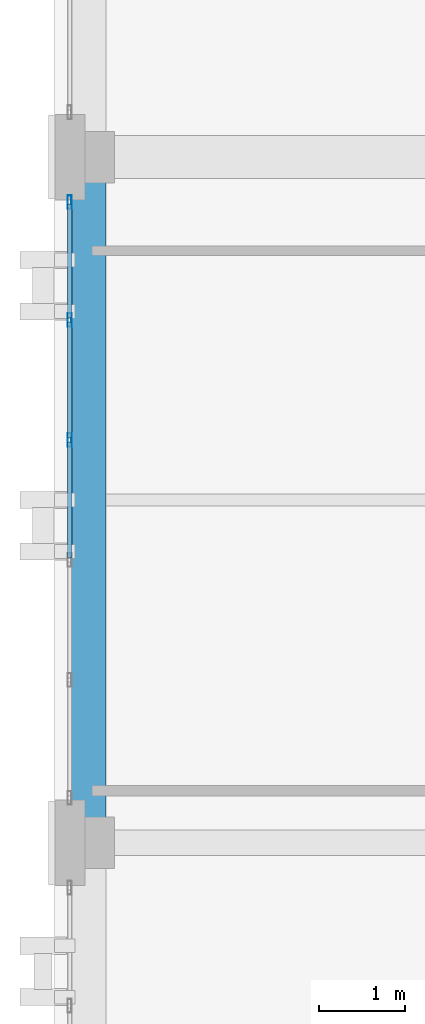
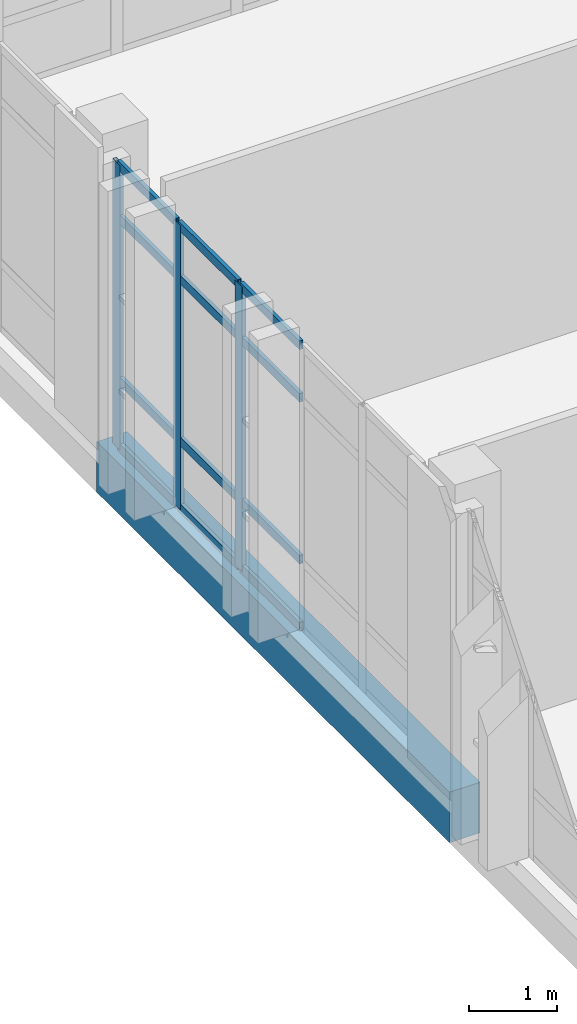
# One storey, part 13 of 48: 15 members, 1 beam, 1 element without a shape of its own.
"""IFC4 building model written with IfcOpenShell, lengths in metres."""

from ifc_helpers import new_model, si_unit, direction, frame, origin, origin_2d, place, context, subcontext, project, spatial, rectangle, hollow_rectangle, extrude, material, layer, layer_set, material_profile, profile_set, type_object, element, aggregate, save


model = new_model("IFC4")

# Units and contexts
model_context = context("Model", 3, precision=1e-05, world=origin(), true_north=direction((0.0, 1.0)))
body_context = subcontext(model_context, "Body", "Model", "MODEL_VIEW")
ifc_project = project(units=[si_unit("LENGTHUNIT", "METRE"), si_unit("AREAUNIT", "SQUARE_METRE"), si_unit("VOLUMEUNIT", "CUBIC_METRE"), si_unit("PLANEANGLEUNIT", "RADIAN"), si_unit("MASSUNIT", "GRAM", prefix="KILO")], contexts=[model_context])

# Site, building, storey
site_placement = place(None, origin())
site = spatial("IfcSite", under=ifc_project, at=site_placement, CompositionType="ELEMENT")
building_placement = place(site_placement, origin())
building = spatial("IfcBuilding", under=site, at=building_placement, Name="Qalavern Law Courts", CompositionType="ELEMENT")
storey_placement = place(building_placement, frame((0.0, 0.0, 31.199951171875)))
storey = spatial("IfcBuildingStorey", under=building, at=storey_placement, Name="L07", CompositionType="ELEMENT", Elevation=31.199951171875)

# Curtain wall, members
ifc_material_1 = material(Name="Anodised aluminium and insulated glazing", Category="aluminium")
ifc_layer = layer(ifc_material_1, 0.159912109375)
ifc_layer_set = layer_set([ifc_layer], Name="Anodised aluminium and insulated glazing")
curtain_wall_type = type_object("IfcCurtainWallType", Name="ENV-CW-CHAMB", PredefinedType="USERDEFINED", material=ifc_layer_set)
curtain_wall_placement = place(storey_placement, origin())
curtain_wall = element("IfcCurtainWall", 1, at=curtain_wall_placement, inside=storey, type_object=curtain_wall_type, Name="V3 unitised curtain wall L07 west 2", ObjectType="UNITISED CURTAIN WALL", PredefinedType="USERDEFINED")
ifc_material_2 = material(Name="Anodised aluminium", Category="aluminium")
ifc_material_profile_1 = material_profile(ifc_material_2, hollow_rectangle(XDim=0.048095703125, YDim=0.159912109375, WallThickness=0.00390625, at=origin_2d()), Name="ALU MULLION 48x160")
ifc_profile_set_1 = profile_set([ifc_material_profile_1], Name="Anodised aluminium")
member_type_1 = type_object("IfcMemberType", Name="ENV-CWM-48x160", PredefinedType="MULLION", material=ifc_profile_set_1)
member_1_placement = place(storey_placement, frame((2.177490234375, 72.8759765625, 0.0), z_axis=(0.0, 0.0, 1.0), x_axis=(1.0, 0.0, 0.0)))
member_1 = element("IfcMember", 2, at=member_1_placement, type_object=member_type_1, Name="CW-04 mullion 1", PredefinedType="MULLION", context=body_context, shape_type="SweptSolid", body=[
    extrude(hollow_rectangle(XDim=0.048095703125, YDim=0.159912109375, WallThickness=0.00390625, at=origin_2d()), origin(), (0.0, 0.0, 1.0), 3.93994140625),
])
member_2_placement = place(storey_placement, frame((2.177490234375, 71.5, 0.0), z_axis=(0.0, 0.0, 1.0), x_axis=(1.0, 0.0, 0.0)))
member_2 = element("IfcMember", 3, at=member_2_placement, type_object=member_type_1, Name="CW-04 mullion 2", PredefinedType="MULLION", context=body_context, shape_type="SweptSolid", body=[
    extrude(hollow_rectangle(XDim=0.048095703125, YDim=0.159912109375, WallThickness=0.00390625, at=origin_2d()), origin(), (0.0, 0.0, 1.0), 3.93994140625),
])
member_3_placement = place(storey_placement, frame((2.177490234375, 70.10009765625, 0.0), z_axis=(0.0, 0.0, 1.0), x_axis=(1.0, 0.0, 0.0)))
member_3 = element("IfcMember", 4, at=member_3_placement, type_object=member_type_1, Name="CW-04 mullion 3", PredefinedType="MULLION", context=body_context, shape_type="SweptSolid", body=[
    extrude(hollow_rectangle(XDim=0.048095703125, YDim=0.159912109375, WallThickness=0.00390625, at=origin_2d()), origin(), (0.0, 0.0, 1.0), 3.93994140625),
])
ifc_material_profile_2 = material_profile(ifc_material_2, hollow_rectangle(XDim=0.048095703125, YDim=0.1201171875, WallThickness=0.00390625, at=origin_2d()), Name="ALU TRANSOM 48x120")
ifc_profile_set_2 = profile_set([ifc_material_profile_2], Name="Anodised aluminium")
member_type_2 = type_object("IfcMemberType", Name="ENV-CWT-48x120", PredefinedType="USERDEFINED", material=ifc_profile_set_2)
member_4_placement = place(storey_placement, frame((2.177490234375, 72.85205078125, 0.024169921875), z_axis=(0.0, -1.0, 0.0), x_axis=(1.0, 0.0, 0.0)))
member_4 = element("IfcMember", 5, at=member_4_placement, type_object=member_type_2, Name="CW-04 transom 1.1", ObjectType="TRANSOM", PredefinedType="USERDEFINED", context=body_context, shape_type="SweptSolid", body=[
    extrude(hollow_rectangle(XDim=0.048095703125, YDim=0.1201171875, WallThickness=0.00390625, at=origin_2d()), origin(), (0.0, 0.0, 1.0), 1.328125),
])
member_5_placement = place(storey_placement, frame((2.177490234375, 72.85205078125, 0.949951171875), z_axis=(0.0, -1.0, 0.0), x_axis=(1.0, 0.0, 0.0)))
member_5 = element("IfcMember", 6, at=member_5_placement, type_object=member_type_2, Name="CW-04 transom 1.2", ObjectType="TRANSOM", PredefinedType="USERDEFINED", context=body_context, shape_type="SweptSolid", body=[
    extrude(hollow_rectangle(XDim=0.048095703125, YDim=0.1201171875, WallThickness=0.00390625, at=origin_2d()), origin(), (0.0, 0.0, 1.0), 1.328125),
])
member_6_placement = place(storey_placement, frame((2.177490234375, 72.85205078125, 3.18994140625), z_axis=(0.0, -1.0, 0.0), x_axis=(1.0, 0.0, 0.0)))
member_6 = element("IfcMember", 7, at=member_6_placement, type_object=member_type_2, Name="CW-04 transom 1.3", ObjectType="TRANSOM", PredefinedType="USERDEFINED", context=body_context, shape_type="SweptSolid", body=[
    extrude(hollow_rectangle(XDim=0.048095703125, YDim=0.1201171875, WallThickness=0.00390625, at=origin_2d()), origin(), (0.0, 0.0, 1.0), 1.328125),
])
member_7_placement = place(storey_placement, frame((2.177490234375, 72.85205078125, 3.916015625), z_axis=(0.0, -1.0, 0.0), x_axis=(1.0, 0.0, 0.0)))
member_7 = element("IfcMember", 8, at=member_7_placement, type_object=member_type_2, Name="CW-04 transom 1.4", ObjectType="TRANSOM", PredefinedType="USERDEFINED", context=body_context, shape_type="SweptSolid", body=[
    extrude(hollow_rectangle(XDim=0.048095703125, YDim=0.1201171875, WallThickness=0.00390625, at=origin_2d()), origin(), (0.0, 0.0, 1.0), 1.328125),
])
member_8_placement = place(storey_placement, frame((2.177490234375, 71.47607421875, 0.024169921875), z_axis=(0.0, -1.0, 0.0), x_axis=(1.0, 0.0, 0.0)))
member_8 = element("IfcMember", 9, at=member_8_placement, type_object=member_type_2, Name="CW-04 transom 2.1", ObjectType="TRANSOM", PredefinedType="USERDEFINED", context=body_context, shape_type="SweptSolid", body=[
    extrude(hollow_rectangle(XDim=0.048095703125, YDim=0.1201171875, WallThickness=0.00390625, at=origin_2d()), origin(), (0.0, 0.0, 1.0), 1.35205078125),
])
member_9_placement = place(storey_placement, frame((2.177490234375, 71.47607421875, 0.949951171875), z_axis=(0.0, -1.0, 0.0), x_axis=(1.0, 0.0, 0.0)))
member_9 = element("IfcMember", 10, at=member_9_placement, type_object=member_type_2, Name="CW-04 transom 2.2", ObjectType="TRANSOM", PredefinedType="USERDEFINED", context=body_context, shape_type="SweptSolid", body=[
    extrude(hollow_rectangle(XDim=0.048095703125, YDim=0.1201171875, WallThickness=0.00390625, at=origin_2d()), origin(), (0.0, 0.0, 1.0), 1.35205078125),
])
member_10_placement = place(storey_placement, frame((2.177490234375, 71.47607421875, 3.18994140625), z_axis=(0.0, -1.0, 0.0), x_axis=(1.0, 0.0, 0.0)))
member_10 = element("IfcMember", 11, at=member_10_placement, type_object=member_type_2, Name="CW-04 transom 2.3", ObjectType="TRANSOM", PredefinedType="USERDEFINED", context=body_context, shape_type="SweptSolid", body=[
    extrude(hollow_rectangle(XDim=0.048095703125, YDim=0.1201171875, WallThickness=0.00390625, at=origin_2d()), origin(), (0.0, 0.0, 1.0), 1.35205078125),
])
member_11_placement = place(storey_placement, frame((2.177490234375, 71.47607421875, 3.916015625), z_axis=(0.0, -1.0, 0.0), x_axis=(1.0, 0.0, 0.0)))
member_11 = element("IfcMember", 12, at=member_11_placement, type_object=member_type_2, Name="CW-04 transom 2.4", ObjectType="TRANSOM", PredefinedType="USERDEFINED", context=body_context, shape_type="SweptSolid", body=[
    extrude(hollow_rectangle(XDim=0.048095703125, YDim=0.1201171875, WallThickness=0.00390625, at=origin_2d()), origin(), (0.0, 0.0, 1.0), 1.35205078125),
])
member_12_placement = place(storey_placement, frame((2.177490234375, 70.075927734375, 0.024169921875), z_axis=(0.0, -1.0, 0.0), x_axis=(1.0, 0.0, 0.0)))
member_12 = element("IfcMember", 13, at=member_12_placement, type_object=member_type_2, Name="CW-04 transom 3.1", ObjectType="TRANSOM", PredefinedType="USERDEFINED", context=body_context, shape_type="SweptSolid", body=[
    extrude(hollow_rectangle(XDim=0.048095703125, YDim=0.1201171875, WallThickness=0.00390625, at=origin_2d()), origin(), (0.0, 0.0, 1.0), 1.351806640625),
])
member_13_placement = place(storey_placement, frame((2.177490234375, 70.075927734375, 0.949951171875), z_axis=(0.0, -1.0, 0.0), x_axis=(1.0, 0.0, 0.0)))
member_13 = element("IfcMember", 14, at=member_13_placement, type_object=member_type_2, Name="CW-04 transom 3.2", ObjectType="TRANSOM", PredefinedType="USERDEFINED", context=body_context, shape_type="SweptSolid", body=[
    extrude(hollow_rectangle(XDim=0.048095703125, YDim=0.1201171875, WallThickness=0.00390625, at=origin_2d()), origin(), (0.0, 0.0, 1.0), 1.351806640625),
])
member_14_placement = place(storey_placement, frame((2.177490234375, 70.075927734375, 3.18994140625), z_axis=(0.0, -1.0, 0.0), x_axis=(1.0, 0.0, 0.0)))
member_14 = element("IfcMember", 15, at=member_14_placement, type_object=member_type_2, Name="CW-04 transom 3.3", ObjectType="TRANSOM", PredefinedType="USERDEFINED", context=body_context, shape_type="SweptSolid", body=[
    extrude(hollow_rectangle(XDim=0.048095703125, YDim=0.1201171875, WallThickness=0.00390625, at=origin_2d()), origin(), (0.0, 0.0, 1.0), 1.351806640625),
])
member_15_placement = place(storey_placement, frame((2.177490234375, 70.075927734375, 3.916015625), z_axis=(0.0, -1.0, 0.0), x_axis=(1.0, 0.0, 0.0)))
member_15 = element("IfcMember", 16, at=member_15_placement, type_object=member_type_2, Name="CW-04 transom 3.4", ObjectType="TRANSOM", PredefinedType="USERDEFINED", context=body_context, shape_type="SweptSolid", body=[
    extrude(hollow_rectangle(XDim=0.048095703125, YDim=0.1201171875, WallThickness=0.00390625, at=origin_2d()), origin(), (0.0, 0.0, 1.0), 1.351806640625),
])
aggregate(curtain_wall, [member_1, member_2, member_3, member_4, member_5, member_6, member_7, member_8, member_9, member_10, member_11, member_12, member_13, member_14, member_15])

# Beam
ifc_material_3 = material(Name="Concrete C40/50", Category="concrete")
ifc_material_profile_3 = material_profile(ifc_material_3, rectangle(XDim=0.39990234375, YDim=0.699951171875, at=origin_2d()), Name="RC 400x700")
ifc_profile_set_3 = profile_set([ifc_material_profile_3], Name="Concrete C40/50")
beam_type = type_object("IfcBeamType", Name="STR-SP-RC400x700", PredefinedType="SPANDREL", material=ifc_profile_set_3)
beam_placement = place(storey_placement, frame((2.39990234375, 65.39990234375, -0.614990234375), z_axis=(0.0, 1.0, 0.0), x_axis=(-1.0, 0.0, 0.0)))
element("IfcBeam", 17, at=beam_placement, inside=storey, type_object=beam_type, Name="V3 Y-beam 1-4 L07", PredefinedType="SPANDREL", context=body_context, shape_type="SweptSolid", body=[
    extrude(rectangle(XDim=0.39990234375, YDim=0.699951171875, at=origin_2d()), origin(), (0.0, 0.0, 1.0), 8.0),
])

save(model, "model.ifc")
